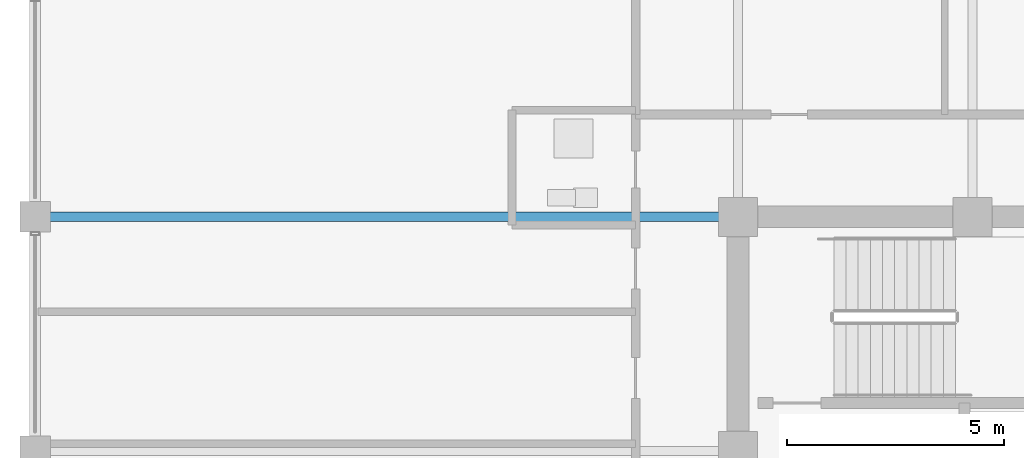
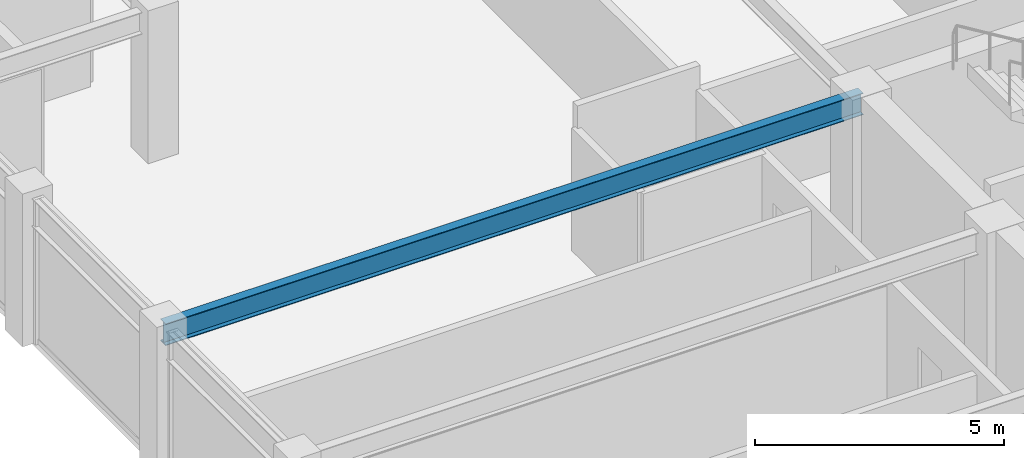
# One storey, part 15 of 30: 1 beam.
"""IFC4 building model written with IfcOpenShell, lengths in metres."""

import ifcopenshell
import ifcopenshell.guid

model = None  # the IFC model being written
_history = None  # IfcOwnerHistory: only IFC2X3 demands one
_inside = {}  # id of a spatial element -> (the spatial element, [elements in it])
_under = {}  # id of a project, library or spatial element -> (it, [spatial elements below it])
_declared = {}  # id of a project -> (the project, [libraries it declares])
_typed = {}  # id of a type object -> (the type object, [elements of that type])
_made_of = {}  # id of a material, layer set ... -> (it, [elements and type objects made of it])


def new_model(schema):
    """Start an empty IFC model of exactly this schema.

    Asked for "IFC4X3", IfcOpenShell would pick the latest addendum, in which some entities
    have other attributes; the version numbers below select the first issue.
    IFC2X3 requires an IfcOwnerHistory on every rooted entity: one is made here for all.
    """
    global model, _history
    if schema == "IFC4X3":
        model = ifcopenshell.file(schema_version=(4, 3, 0, 0))
    else:
        model = ifcopenshell.file(schema=schema)
    _inside.clear()
    _under.clear()
    _declared.clear()
    _typed.clear()
    _made_of.clear()
    _history = None
    if model.schema == "IFC2X3":
        org = make("IfcOrganization", Name="unknown")
        user = make(
            "IfcPersonAndOrganization",
            ThePerson=make("IfcPerson", FamilyName="unknown"),
            TheOrganization=org,
        )
        app = make(
            "IfcApplication",
            ApplicationDeveloper=org,
            Version="unknown",
            ApplicationFullName="unknown",
            ApplicationIdentifier="unknown",
        )
        _history = make(
            "IfcOwnerHistory",
            OwningUser=user,
            OwningApplication=app,
            ChangeAction="ADDED",
            CreationDate=0,
        )
    return model


def make(cls, **values):
    """One entity of the class cls with the attributes given. An attribute that is None is left unset."""
    return model.create_entity(
        cls, **{name: value for name, value in values.items() if value is not None}
    )


def rooted(cls, **values):
    """An entity with a GlobalId (a new one), such as an element, a storey or a relation."""
    return make(cls, GlobalId=ifcopenshell.guid.new(), OwnerHistory=_history, **values)


def si_unit(unit_type, name, prefix=None):
    """IfcSIUnit, for example si_unit("LENGTHUNIT", "METRE", prefix="MILLI")."""
    return make("IfcSIUnit", UnitType=unit_type, Prefix=prefix, Name=name)


def assignment(units):
    """IfcUnitAssignment: the units of a project."""
    return None if units is None else make("IfcUnitAssignment", Units=units)


def point(xyz):
    """IfcCartesianPoint."""
    return None if xyz is None else make("IfcCartesianPoint", Coordinates=xyz)


def direction(xyz):
    """IfcDirection."""
    return None if xyz is None else make("IfcDirection", DirectionRatios=xyz)


def frame(location, z_axis=None, x_axis=None):
    """IfcAxis2Placement3D, a coordinate frame: its origin and axes. An axis left out is left unset."""
    return make(
        "IfcAxis2Placement3D",
        Location=point(location),
        Axis=direction(z_axis),
        RefDirection=direction(x_axis),
    )


def frame_2d(location, x_axis=None):
    """IfcAxis2Placement2D, a coordinate frame in the plane: its origin and x axis."""
    return make(
        "IfcAxis2Placement2D", Location=point(location), RefDirection=direction(x_axis)
    )


def origin():
    """The frame at (0, 0, 0) with its axes left unset."""
    return frame((0.0, 0.0, 0.0))


def origin_2d():
    """The frame at (0, 0) in the plane with its x axis left unset."""
    return frame_2d((0.0, 0.0))


def place(relative_to, where):
    """IfcLocalPlacement: puts the frame where relative to a parent placement (None: the world)."""
    return make(
        "IfcLocalPlacement", PlacementRelTo=relative_to, RelativePlacement=where
    )


def context(
    kind, dimensions, precision=None, world=None, true_north=None, identifier=None
):
    """IfcGeometricRepresentationContext, for example the 3D "Model" context."""
    return make(
        "IfcGeometricRepresentationContext",
        ContextIdentifier=identifier,
        ContextType=kind,
        CoordinateSpaceDimension=dimensions,
        Precision=precision,
        WorldCoordinateSystem=world,
        TrueNorth=true_north,
    )


def subcontext(parent, identifier, kind, view, scale=None):
    """IfcGeometricRepresentationSubContext, for example "Body" below "Model"."""
    return make(
        "IfcGeometricRepresentationSubContext",
        ContextIdentifier=identifier,
        ContextType=kind,
        ParentContext=parent,
        TargetScale=scale,
        TargetView=view,
    )


def project(units=None, contexts=None):
    """IfcProject with its units and contexts."""
    return rooted(
        "IfcProject",
        Name="project",
        RepresentationContexts=contexts,
        UnitsInContext=assignment(units),
    )


def spatial(cls, under=None, at=None, **own):
    """A site, building, storey or space (cls), placed at a placement, below another one or the project."""
    s = rooted(cls, ObjectPlacement=at, **own)
    if under is not None:
        _under.setdefault(under.id(), (under, []))[1].append(s)
    return s


def profile(cls, at=None, kind="AREA", **sizes):
    """A parametric profile (cls). Its sizes go by their IFC names, for example OverallWidth=200.0."""
    return make(cls, ProfileType=kind, Position=at, **sizes)


def i_section(**sizes):
    """IfcIShapeProfileDef."""
    return profile("IfcIShapeProfileDef", **sizes)


def extrude(swept, where, along, depth):
    """IfcExtrudedAreaSolid: the profile swept, set in the frame where, extruded along a direction by depth."""
    return make(
        "IfcExtrudedAreaSolid",
        SweptArea=swept,
        Position=where,
        ExtrudedDirection=direction(along),
        Depth=depth,
    )


def shape(context_of_items, identifier, shape_type, items):
    """IfcShapeRepresentation: the items that make up one representation, for example the "Body"."""
    return make(
        "IfcShapeRepresentation",
        ContextOfItems=context_of_items,
        RepresentationIdentifier=identifier,
        RepresentationType=shape_type,
        Items=items,
    )


def material(Name=None, Category=None):
    """IfcMaterial."""
    return make("IfcMaterial", Name=Name, Category=Category)


def material_profile(
    of_material, cross_section, Name=None, Category=None, Priority=None
):
    """IfcMaterialProfile: a cross section and its material."""
    return make(
        "IfcMaterialProfile",
        Name=Name,
        Material=of_material,
        Profile=cross_section,
        Priority=Priority,
        Category=Category,
    )


def profile_set(profiles, Name=None, composite=None):
    """IfcMaterialProfileSet."""
    return make(
        "IfcMaterialProfileSet",
        Name=Name,
        MaterialProfiles=profiles,
        CompositeProfile=composite,
    )


def made_of(thing, what):
    """Note that an element or type object is made of a material, layer set ...; save() writes the relation."""
    if what is not None:
        _made_of.setdefault(what.id(), (what, []))[1].append(thing)
    return thing


def type_object(cls, material=None, **own):
    """A type object (cls), such as IfcWallType, which elements share."""
    return made_of(rooted(cls, **own), material)


def element(
    cls,
    number,
    at=None,
    inside=None,
    cuts=None,
    type_object=None,
    material=None,
    context=None,
    identifier="Body",
    shape_type=None,
    held_by="IfcProductDefinitionShape",
    body=None,
    shapes=None,
    **own,
):
    """One element of the class cls, such as IfcWall. Its Tag is "e" and its number.

    at: its placement. inside: the storey or other place that contains it. cuts: it is an
    opening in that element (IfcRelVoidsElement). A single representation is given by context,
    identifier, shape_type and body (its items); several are given by shapes. held_by: the class
    of the entity that holds the representations. save() writes the other relations.
    """
    e = rooted(cls, Tag="e%d" % number, ObjectPlacement=at, **own)
    if body is not None:
        shapes = [shape(context, identifier, shape_type, body)]
    if shapes is not None:
        e.Representation = make(held_by, Representations=shapes)
    if inside is not None:
        _inside.setdefault(inside.id(), (inside, []))[1].append(e)
    if cuts is not None:
        rooted(
            "IfcRelVoidsElement", RelatingBuildingElement=cuts, RelatedOpeningElement=e
        )
    if type_object is not None:
        _typed.setdefault(type_object.id(), (type_object, []))[1].append(e)
    return made_of(e, material)


def aggregate(whole, parts):
    """IfcRelAggregates: a whole, such as a stair, and the parts it consists of."""
    return rooted("IfcRelAggregates", RelatingObject=whole, RelatedObjects=parts)


def save(model, path):
    """Write the relations noted so far, then the file.

    IfcRelAggregates (storeys below a building ...), IfcRelContainedInSpatialStructure (elements
    in a storey), IfcRelDefinesByType, IfcRelAssociatesMaterial and IfcRelDeclares: one each for
    every whole, place, type object, material and project.
    """
    for whole, parts in _under.values():
        aggregate(whole, parts)
    for where, things in _inside.values():
        rooted(
            "IfcRelContainedInSpatialStructure",
            RelatedElements=things,
            RelatingStructure=where,
        )
    for kind, things in _typed.values():
        rooted("IfcRelDefinesByType", RelatedObjects=things, RelatingType=kind)
    for what, things in _made_of.values():
        rooted("IfcRelAssociatesMaterial", RelatedObjects=things, RelatingMaterial=what)
    for by, libraries in _declared.values():
        rooted("IfcRelDeclares", RelatingContext=by, RelatedDefinitions=libraries)
    model.write(path)


model = new_model("IFC4")

# Units and contexts
model_context = context("Model", 3, precision=1e-05, world=origin(), true_north=direction((0.0, 1.0)))
body_context = subcontext(model_context, "Body", "Model", "MODEL_VIEW")
ifc_project = project(units=[si_unit("LENGTHUNIT", "METRE"), si_unit("AREAUNIT", "SQUARE_METRE"), si_unit("VOLUMEUNIT", "CUBIC_METRE"), si_unit("PLANEANGLEUNIT", "RADIAN"), si_unit("MASSUNIT", "GRAM", prefix="KILO")], contexts=[model_context])

# Site, building, storey
site_placement = place(None, origin())
site = spatial("IfcSite", under=ifc_project, at=site_placement, CompositionType="ELEMENT")
building_placement = place(site_placement, origin())
building = spatial("IfcBuilding", under=site, at=building_placement, Name="Surkhivell Harbour Commons", CompositionType="ELEMENT")
storey_placement = place(building_placement, frame((0.0, 0.0, 296.25)))
storey = spatial("IfcBuildingStorey", under=building, at=storey_placement, Name="L77", CompositionType="ELEMENT", Elevation=296.25)

# Beam
ifc_material = material(Name="Steel S355", Category="steel")
ifc_material_profile = material_profile(ifc_material, i_section(OverallWidth=0.2099609375, OverallDepth=0.537109375, WebThickness=0.0107421875, FlangeThickness=0.017333984375, at=origin_2d()), Name="UB533x210x101")
ifc_profile_set = profile_set([ifc_material_profile], Name="Steel S355")
beam_type = type_object("IfcBeamType", Name="BM-GRD-533B", PredefinedType="BEAM", material=ifc_profile_set)
beam_placement = place(storey_placement, frame((-27.0, 10.800048828125, 3.301513671875), z_axis=(1.0, 0.0, 0.0), x_axis=(0.0, 1.0, 0.0)))
element("IfcBeam", 1, at=beam_placement, inside=storey, type_object=beam_type, Name="L77 Floor Girder (-27.0,10.8)", PredefinedType="BEAM", context=body_context, shape_type="SweptSolid", body=[
    extrude(i_section(OverallWidth=0.2099609375, OverallDepth=0.537109375, WebThickness=0.0107421875, FlangeThickness=0.017333984375, at=origin_2d()), origin(), (0.0, 0.0, 1.0), 16.199951171875),
])

save(model, "model.ifc")
